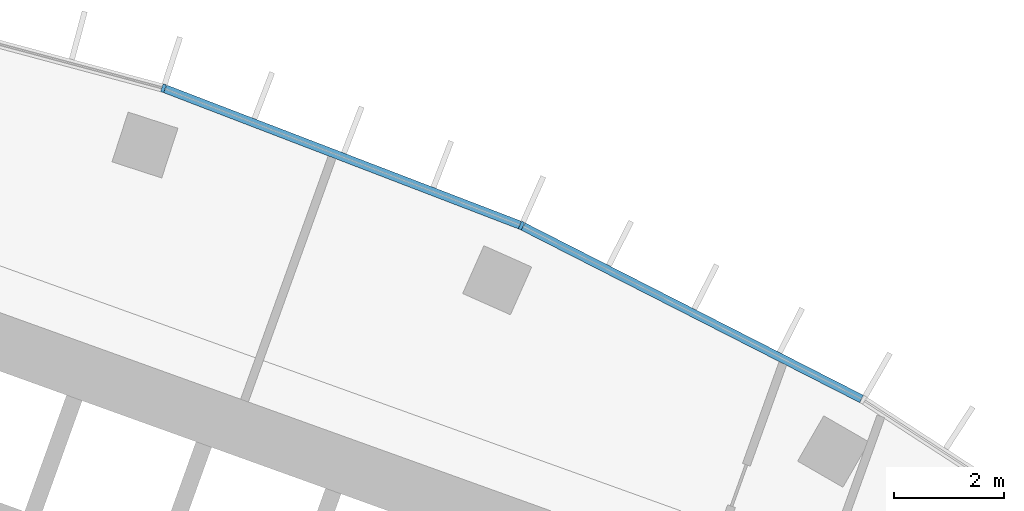
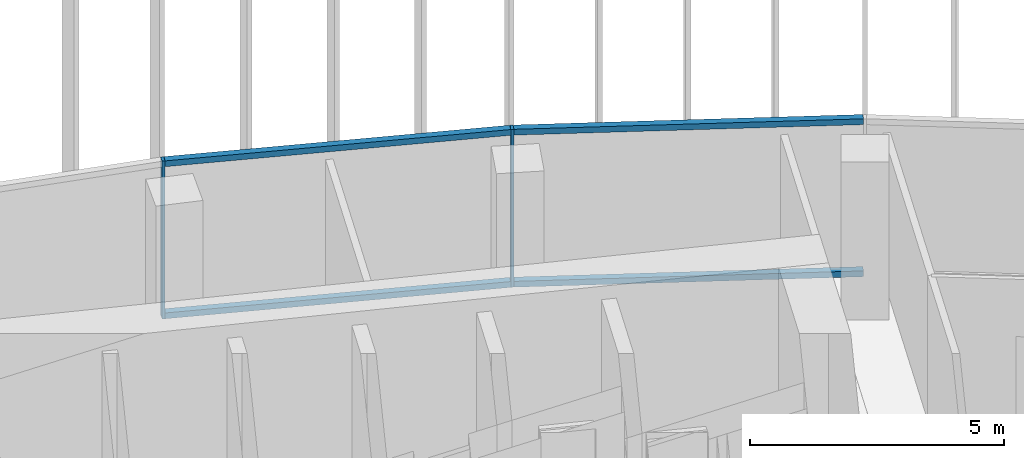
# One storey, part 10 of 20: 6 members, 1 element without a shape of its own.
"""IFC4 building model written with IfcOpenShell, lengths in metres."""

from ifc_helpers import new_model, si_unit, direction, frame, origin, origin_2d, place, context, subcontext, project, spatial, rectangle, extrude, material, layer, layer_set, material_profile, profile_set, type_object, element, aggregate, save


model = new_model("IFC4")

# Units and contexts
model_context = context("Model", 3, precision=1e-05, world=origin(), true_north=direction((0.0, 1.0)))
body_context = subcontext(model_context, "Body", "Model", "MODEL_VIEW")
ifc_project = project(units=[si_unit("LENGTHUNIT", "METRE"), si_unit("AREAUNIT", "SQUARE_METRE"), si_unit("VOLUMEUNIT", "CUBIC_METRE"), si_unit("PLANEANGLEUNIT", "RADIAN"), si_unit("MASSUNIT", "GRAM", prefix="KILO")], contexts=[model_context])

# Site, building, storey
site_placement = place(None, origin())
site = spatial("IfcSite", under=ifc_project, at=site_placement, CompositionType="ELEMENT")
building_placement = place(site_placement, origin())
building = spatial("IfcBuilding", under=site, at=building_placement, Name="Stone Belt Terrace Tower", CompositionType="ELEMENT")
storey_placement = place(building_placement, frame((0.0, 0.0, 212.39990234375)))
storey = spatial("IfcBuildingStorey", under=building, at=storey_placement, Name="L51", CompositionType="ELEMENT", Elevation=212.39990234375)

# Curtain wall, members
ifc_material = material(Name="Aluminium 6063-T6 anodised frame", Category="aluminium")
ifc_layer = layer(ifc_material, 0.14990234375)
ifc_layer_set = layer_set([ifc_layer], Name="CW-A unitised convex-face curtain wall")
curtain_wall_type = type_object("IfcCurtainWallType", Name="CW-A unitised convex-face curtain wall", PredefinedType="NOTDEFINED", material=ifc_layer_set)
curtain_wall_placement = place(storey_placement, origin())
curtain_wall = element("IfcCurtainWall", 1, at=curtain_wall_placement, inside=storey, type_object=curtain_wall_type, Name="CW-A convex face L51", PredefinedType="NOTDEFINED")
ifc_material_profile_1 = material_profile(ifc_material, rectangle(XDim=0.14990234375, YDim=0.06005859375, at=origin_2d()), Name="Aluminium 6063-T6 60x150")
ifc_profile_set_1 = profile_set([ifc_material_profile_1], Name="Aluminium 6063-T6 anodised frame")
member_type_1 = type_object("IfcMemberType", Name="CW-A mullion 60 x 150", PredefinedType="MULLION", material=ifc_profile_set_1)
member_1_placement = place(storey_placement, frame((27.07861328125, 60.8193359375, 0.0), z_axis=(0.0, 0.0, 1.0), x_axis=(-0.406736643076, -0.913545457643, 0.0)))
member_1 = element("IfcMember", 2, at=member_1_placement, type_object=member_type_1, Name="CW-A mullion 5", PredefinedType="MULLION", context=body_context, shape_type="SweptSolid", body=[
    extrude(rectangle(XDim=0.14990234375, YDim=0.06005859375, at=origin_2d()), origin(), (0.0, 0.0, 1.0), 3.800048828125),
])
member_2_placement = place(storey_placement, frame((20.57275390625, 63.316650390625, 0.0), z_axis=(0.0, 0.0, 1.0), x_axis=(-0.309016994375, -0.951056516295, 0.0)))
member_2 = element("IfcMember", 3, at=member_2_placement, type_object=member_type_1, Name="CW-A mullion 6", PredefinedType="MULLION", context=body_context, shape_type="SweptSolid", body=[
    extrude(rectangle(XDim=0.14990234375, YDim=0.06005859375, at=origin_2d()), origin(), (0.0, 0.0, 1.0), 3.800048828125),
])
ifc_material_profile_2 = material_profile(ifc_material, rectangle(XDim=0.14990234375, YDim=0.139892578125, at=origin_2d()), Name="Aluminium 6063-T6 150x140")
ifc_profile_set_2 = profile_set([ifc_material_profile_2], Name="Aluminium 6063-T6 anodised frame")
member_type_2 = type_object("IfcMemberType", Name="CW-A transom 140 x 150", PredefinedType="USERDEFINED", material=ifc_profile_set_2)
member_3_placement = place(storey_placement, frame((33.25732421875, 57.671142578125, 0.070068359375), z_axis=(-0.891012226264, 0.453979308613, 0.0), x_axis=(-0.453979308613, -0.891012226264, 0.0)))
member_3 = element("IfcMember", 4, at=member_3_placement, type_object=member_type_2, Name="CW-A transom 4.1", ObjectType="TRANSOM", PredefinedType="USERDEFINED", context=body_context, shape_type="SweptSolid", body=[
    extrude(rectangle(XDim=0.14990234375, YDim=0.139892578125, at=origin_2d()), origin(), (0.0, 0.0, 1.0), 6.90087890625),
])
member_4_placement = place(storey_placement, frame((33.25732421875, 57.671142578125, 3.72998046875), z_axis=(-0.891012226264, 0.453979308613, 0.0), x_axis=(-0.453979308613, -0.891012226264, 0.0)))
member_4 = element("IfcMember", 5, at=member_4_placement, type_object=member_type_2, Name="CW-A transom 4.2", ObjectType="TRANSOM", PredefinedType="USERDEFINED", context=body_context, shape_type="SweptSolid", body=[
    extrude(rectangle(XDim=0.14990234375, YDim=0.139892578125, at=origin_2d()), origin(), (0.0, 0.0, 1.0), 6.90087890625),
])
member_5_placement = place(storey_placement, frame((27.046875, 60.83154296875, 0.070068359375), z_axis=(-0.933585210269, 0.358355487146, 0.0), x_axis=(-0.358355487146, -0.933585210269, 0.0)))
member_5 = element("IfcMember", 6, at=member_5_placement, type_object=member_type_2, Name="CW-A transom 5.1", ObjectType="TRANSOM", PredefinedType="USERDEFINED", context=body_context, shape_type="SweptSolid", body=[
    extrude(rectangle(XDim=0.14990234375, YDim=0.139892578125, at=origin_2d()), origin(), (0.0, 0.0, 1.0), 6.900634765625),
])
member_6_placement = place(storey_placement, frame((27.046875, 60.83154296875, 3.72998046875), z_axis=(-0.933585210269, 0.358355487146, 0.0), x_axis=(-0.358355487146, -0.933585210269, 0.0)))
member_6 = element("IfcMember", 7, at=member_6_placement, type_object=member_type_2, Name="CW-A transom 5.2", ObjectType="TRANSOM", PredefinedType="USERDEFINED", context=body_context, shape_type="SweptSolid", body=[
    extrude(rectangle(XDim=0.14990234375, YDim=0.139892578125, at=origin_2d()), origin(), (0.0, 0.0, 1.0), 6.900634765625),
])
aggregate(curtain_wall, [member_1, member_2, member_3, member_4, member_5, member_6])

save(model, "model.ifc")
